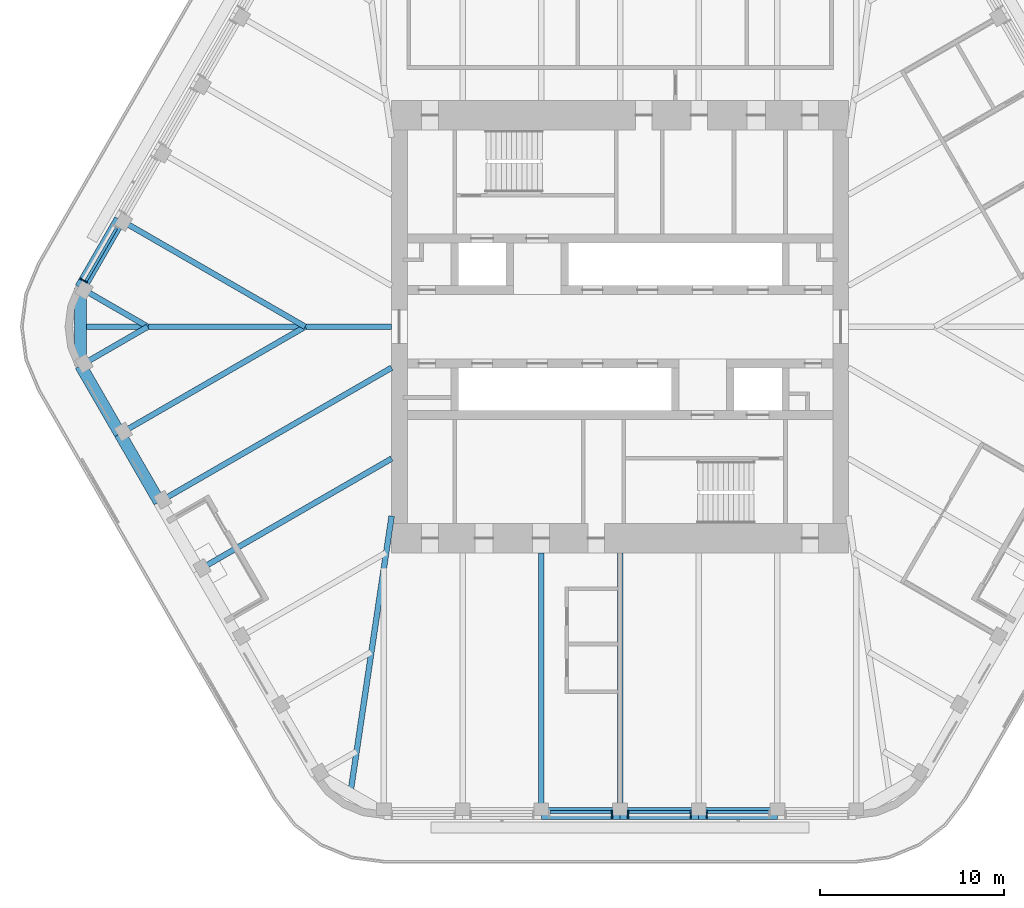
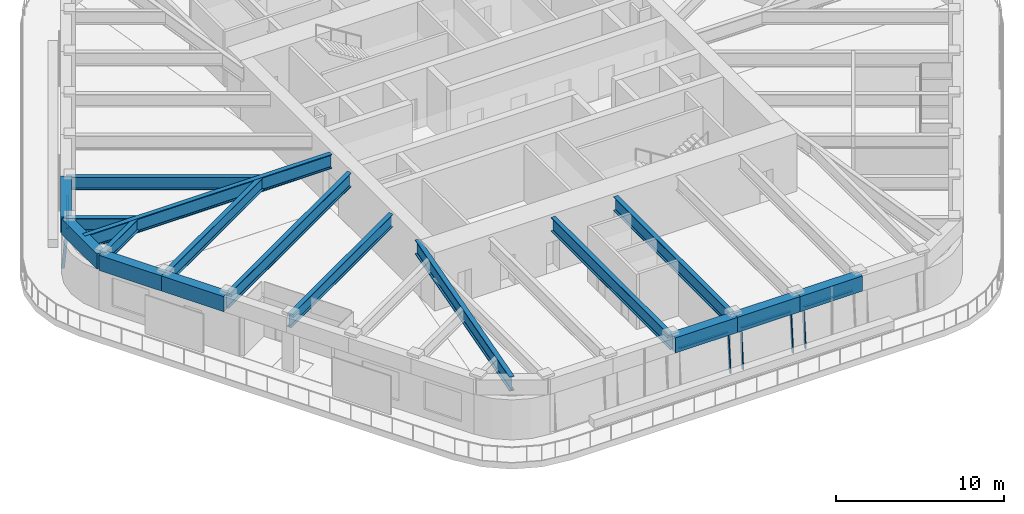
# One storey, part 3 of 19: 17 beams, 9 members, 4 elements without a shape of their own.
"""IFC4 building model written with IfcOpenShell, lengths in metres."""

from ifc_helpers import new_model, si_unit, direction, frame, origin, origin_2d, place, context, subcontext, project, spatial, rectangle, i_section, extrude, material, material_profile, profile_set, type_object, element, aggregate, save


model = new_model("IFC4")

# Units and contexts
model_context = context("Model", 3, precision=1e-05, world=origin(), true_north=direction((0.0, 1.0)))
body_context = subcontext(model_context, "Body", "Model", "MODEL_VIEW")
ifc_project = project(units=[si_unit("LENGTHUNIT", "METRE"), si_unit("AREAUNIT", "SQUARE_METRE"), si_unit("VOLUMEUNIT", "CUBIC_METRE"), si_unit("PLANEANGLEUNIT", "RADIAN"), si_unit("MASSUNIT", "GRAM", prefix="KILO")], contexts=[model_context])

# Site, building, storey
site_placement = place(None, origin())
site = spatial("IfcSite", under=ifc_project, at=site_placement, CompositionType="ELEMENT")
building_placement = place(site_placement, origin())
building = spatial("IfcBuilding", under=site, at=building_placement, Name="Tarfa Lantern Tower", CompositionType="ELEMENT")
storey_placement = place(building_placement, frame((0.0, 0.0, 374.5)))
storey = spatial("IfcBuildingStorey", under=building, at=storey_placement, Name="L85", CompositionType="ELEMENT", Elevation=374.5)

# Curtain wall, member
ifc_material_1 = material(Name="Aluminium framed curtain wall", Category="aluminium")
curtain_wall_type = type_object("IfcCurtainWallType", Name="CW4 CANTED GLAZING EXECUTIVE ZONE 2900", PredefinedType="USERDEFINED", material=ifc_material_1)
curtain_wall_1_placement = place(storey_placement, origin())
curtain_wall_1 = element("IfcCurtainWall", 1, at=curtain_wall_1_placement, inside=storey, type_object=curtain_wall_type, Name="CW4 NW L85", ObjectType="CURTAIN WALL", PredefinedType="USERDEFINED")
ifc_material_2 = material(Name="Aluminium mullion", Category="aluminium")
ifc_material_profile_1 = material_profile(ifc_material_2, rectangle(XDim=0.06494140625, YDim=0.199951171875, at=origin_2d()), Name="AL MULLION 65x200")
ifc_profile_set_1 = profile_set([ifc_material_profile_1], Name="Aluminium mullion")
member_type_1 = type_object("IfcMemberType", Name="CWM1 MULLION 65x200", PredefinedType="MULLION", material=ifc_profile_set_1)
member_1_placement = place(storey_placement, frame((-29.286376953125, 2.574462890625, 0.0), z_axis=(0.074399820079, -0.042945555672, 0.996303340364), x_axis=(0.499919672301, 0.866071776036, 0.0)))
member_1 = element("IfcMember", 2, at=member_1_placement, type_object=member_type_1, Name="CW4 mullion 2", PredefinedType="MULLION", context=body_context, shape_type="SweptSolid", body=[
    extrude(rectangle(XDim=0.06494140625, YDim=0.199951171875, at=origin_2d()), origin(), (0.0, 0.0, 1.0), 2.91064453125),
])

curtain_wall_2_placement = place(storey_placement, origin())
curtain_wall_2 = element("IfcCurtainWall", 3, at=curtain_wall_2_placement, inside=storey, type_object=curtain_wall_type, Name="CW4 S L85", ObjectType="CURTAIN WALL", PredefinedType="USERDEFINED")
member_2_placement = place(storey_placement, frame((-0.4326171875, -26.64990234375, 0.0), z_axis=(0.0, 0.085891213166, 0.99630452147), x_axis=(-1.0, 0.0, 0.0)))
member_2 = element("IfcMember", 4, at=member_2_placement, type_object=member_type_1, Name="CW4 mullion 2", PredefinedType="MULLION", context=body_context, shape_type="SweptSolid", body=[
    extrude(rectangle(XDim=0.06494140625, YDim=0.199951171875, at=origin_2d()), origin(), (0.0, 0.0, 1.0), 2.91064453125),
])

# Curtain wall, members
curtain_wall_3_placement = place(storey_placement, origin())
curtain_wall_3 = element("IfcCurtainWall", 5, at=curtain_wall_3_placement, inside=storey, type_object=curtain_wall_type, Name="CW4 S L85", ObjectType="CURTAIN WALL", PredefinedType="USERDEFINED")
member_3_placement = place(storey_placement, frame((0.4326171875, -26.64990234375, 0.0), z_axis=(0.0, 0.085891213166, 0.99630452147), x_axis=(-1.0, 0.0, 0.0)))
member_3 = element("IfcMember", 6, at=member_3_placement, type_object=member_type_1, Name="CW4 mullion 1", PredefinedType="MULLION", context=body_context, shape_type="SweptSolid", body=[
    extrude(rectangle(XDim=0.06494140625, YDim=0.199951171875, at=origin_2d()), origin(), (0.0, 0.0, 1.0), 2.91064453125),
])
member_4_placement = place(storey_placement, frame((3.849609375, -26.64990234375, 0.0), z_axis=(0.0, 0.085891213166, 0.99630452147), x_axis=(-1.0, 0.0, 0.0)))
member_4 = element("IfcMember", 7, at=member_4_placement, type_object=member_type_1, Name="CW4 mullion 2", PredefinedType="MULLION", context=body_context, shape_type="SweptSolid", body=[
    extrude(rectangle(XDim=0.06494140625, YDim=0.199951171875, at=origin_2d()), origin(), (0.0, 0.0, 1.0), 2.91064453125),
])

# Curtain wall, member
curtain_wall_4_placement = place(storey_placement, origin())
curtain_wall_4 = element("IfcCurtainWall", 8, at=curtain_wall_4_placement, inside=storey, type_object=curtain_wall_type, Name="CW4 S L85", ObjectType="CURTAIN WALL", PredefinedType="USERDEFINED")
member_5_placement = place(storey_placement, frame((4.714599609375, -26.64990234375, 0.0), z_axis=(0.0, 0.085891213166, 0.99630452147), x_axis=(-1.0, 0.0, 0.0)))
member_5 = element("IfcMember", 9, at=member_5_placement, type_object=member_type_1, Name="CW4 mullion 1", PredefinedType="MULLION", context=body_context, shape_type="SweptSolid", body=[
    extrude(rectangle(XDim=0.06494140625, YDim=0.199951171875, at=origin_2d()), origin(), (0.0, 0.0, 1.0), 2.91064453125),
])

# Member
ifc_material_3 = material(Name="Aluminium transom", Category="aluminium")
ifc_material_profile_2 = material_profile(ifc_material_3, rectangle(XDim=0.14990234375, YDim=0.06494140625, at=origin_2d()), Name="AL TRANSOM 150x65")
ifc_profile_set_2 = profile_set([ifc_material_profile_2], Name="Aluminium transom")
member_type_2 = type_object("IfcMemberType", Name="CWT1 TRANSOM 150x65", PredefinedType="USERDEFINED", material=ifc_profile_set_2)
member_6_placement = place(storey_placement, frame((-27.380126953125, 5.382080078125, 2.867431640625), z_axis=(-0.499930512259, -0.866065518833, 0.0), x_axis=(0.866065518833, -0.499930512259, 0.0)))
member_6 = element("IfcMember", 10, at=member_6_placement, type_object=member_type_2, Name="CW4 transom 1.2", ObjectType="TRANSOM", PredefinedType="USERDEFINED", context=body_context, shape_type="SweptSolid", body=[
    extrude(rectangle(XDim=0.14990234375, YDim=0.06494140625, at=origin_2d()), origin(), (0.0, 0.0, 1.0), 3.35205078125),
])

aggregate(curtain_wall_1, [member_1, member_6])

member_7_placement = place(storey_placement, frame((-3.81689453125, -26.40283203125, 2.867431640625), z_axis=(1.0, 0.0, 0.0), x_axis=(0.0, 1.0, 0.0)))
member_7 = element("IfcMember", 11, at=member_7_placement, type_object=member_type_2, Name="CW4 transom 1.2", ObjectType="TRANSOM", PredefinedType="USERDEFINED", context=body_context, shape_type="SweptSolid", body=[
    extrude(rectangle(XDim=0.14990234375, YDim=0.06494140625, at=origin_2d()), origin(), (0.0, 0.0, 1.0), 3.351806640625),
])

aggregate(curtain_wall_2, [member_2, member_7])

member_8_placement = place(storey_placement, frame((0.465087890625, -26.40283203125, 2.867431640625), z_axis=(1.0, 0.0, 0.0), x_axis=(0.0, 1.0, 0.0)))
member_8 = element("IfcMember", 12, at=member_8_placement, type_object=member_type_2, Name="CW4 transom 1.2", ObjectType="TRANSOM", PredefinedType="USERDEFINED", context=body_context, shape_type="SweptSolid", body=[
    extrude(rectangle(XDim=0.14990234375, YDim=0.06494140625, at=origin_2d()), origin(), (0.0, 0.0, 1.0), 3.351806640625),
])

aggregate(curtain_wall_3, [member_3, member_4, member_8])

member_9_placement = place(storey_placement, frame((4.7470703125, -26.40283203125, 2.867431640625), z_axis=(1.0, 0.0, 0.0), x_axis=(0.0, 1.0, 0.0)))
member_9 = element("IfcMember", 13, at=member_9_placement, type_object=member_type_2, Name="CW4 transom 1.2", ObjectType="TRANSOM", PredefinedType="USERDEFINED", context=body_context, shape_type="SweptSolid", body=[
    extrude(rectangle(XDim=0.14990234375, YDim=0.06494140625, at=origin_2d()), origin(), (0.0, 0.0, 1.0), 3.35205078125),
])

aggregate(curtain_wall_4, [member_5, member_9])

# Beams
ifc_material_4 = material(Name="Concrete C80/95", Category="concrete")
ifc_material_profile_3 = material_profile(ifc_material_4, rectangle(XDim=0.64990234375, YDim=1.10009765625, at=origin_2d()), Name="RC 650x1100")
ifc_profile_set_3 = profile_set([ifc_material_profile_3], Name="Concrete C80/95")
beam_type_1 = type_object("IfcBeamType", Name="EB4 RC 650x1100", PredefinedType="SPANDREL", material=ifc_profile_set_3)
beam_1_placement = place(storey_placement, frame((-27.205810546875, 5.818359375, 3.449951171875), z_axis=(-0.499984039138, -0.866034618596, 0.0), x_axis=(0.866034618596, -0.499984039138, 0.0)))
element("IfcBeam", 14, at=beam_1_placement, inside=storey, type_object=beam_type_1, Name="Edge beam NW5", PredefinedType="SPANDREL", context=body_context, shape_type="SweptSolid", body=[
    extrude(rectangle(XDim=0.64990234375, YDim=1.10009765625, at=origin_2d()), origin(), (0.0, 0.0, 1.0), 4.281982421875),
])
beam_2_placement = place(storey_placement, frame((-29.3466796875, 2.110107421875, 3.449951171875), z_axis=(0.0, -1.0, 0.0), x_axis=(1.0, 0.0, 0.0)))
element("IfcBeam", 15, at=beam_2_placement, inside=storey, type_object=beam_type_1, Name="Edge beam NW6", PredefinedType="SPANDREL", context=body_context, shape_type="SweptSolid", body=[
    extrude(rectangle(XDim=0.64990234375, YDim=1.10009765625, at=origin_2d()), origin(), (0.0, 0.0, 1.0), 4.22021484375),
])
for number, where, z_axis, x_axis, name in (
    (16, (-29.3466796875, -2.110107421875, 3.449951171875), (0.499984039138, -0.866034618596, 0.0), (0.866034618596, 0.499984039138, 0.0), "Edge beam SW0"),
    (17, (-27.205810546875, -5.818359375, 3.449951171875), (0.500026801138, -0.866009929587, 0.0), (0.866009929587, 0.500026801138, 0.0), "Edge beam SW1"),
    (18, (-4.281982421875, -26.469970703125, 3.449951171875), (1.0, 0.0, 0.0), (0.0, 1.0, 0.0), "Edge beam S2"),
    (19, (0.0, -26.469970703125, 3.449951171875), (1.0, 0.0, 0.0), (0.0, 1.0, 0.0), "Edge beam S3"),
    (20, (4.281982421875, -26.469970703125, 3.449951171875), (1.0, 0.0, 0.0), (0.0, 1.0, 0.0), "Edge beam S4"),
):
    element("IfcBeam", number, at=place(storey_placement, frame(where, z_axis=z_axis, x_axis=x_axis)), inside=storey, type_object=beam_type_1, Name=name, PredefinedType="SPANDREL", context=body_context, shape_type="SweptSolid", body=[
        extrude(rectangle(XDim=0.64990234375, YDim=1.10009765625, at=origin_2d()), origin(), (0.0, 0.0, 1.0), 4.281982421875),
    ])
ifc_material_5 = material(Name="Steel S460M", Category="steel")
ifc_material_profile_4 = material_profile(ifc_material_5, i_section(OverallWidth=0.302001953125, OverallDepth=1.008056640625, WebThickness=0.02099609375, FlangeThickness=0.0400390625, FilletRadius=0.030029296875, at=origin_2d()), Name="UB1016x305x349")
ifc_profile_set_4 = profile_set([ifc_material_profile_4], Name="Steel S460M")
beam_type_2 = type_object("IfcBeamType", Name="UB1016x305x349", PredefinedType="BEAM", material=ifc_profile_set_4)
beam_3_placement = place(storey_placement, frame((-25.064697265625, -9.526611328125, 3.495849609375), z_axis=(0.866029591389, 0.499992746786, 0.0), x_axis=(-0.499992746786, 0.866029591389, 0.0)))
element("IfcBeam", 21, at=beam_3_placement, inside=storey, type_object=beam_type_2, Name="Floor beam SW2", PredefinedType="BEAM", context=body_context, shape_type="SweptSolid", body=[
    extrude(i_section(OverallWidth=0.302001953125, OverallDepth=1.008056640625, WebThickness=0.02099609375, FlangeThickness=0.0400390625, FilletRadius=0.030029296875, at=origin_2d()), origin(), (0.0, 0.0, 1.0), 14.594970703125),
])
for number, where, z_axis, x_axis, name in (
    (22, (-4.281982421875, -26.469970703125, 3.495849609375), (0.0, 1.0, 0.0), (-1.0, 0.0, 0.0), "Floor beam S2"),
    (23, (0.0, -26.469970703125, 3.495849609375), (0.0, 1.0, 0.0), (-1.0, 0.0, 0.0), "Floor beam S3"),
):
    element("IfcBeam", number, at=place(storey_placement, frame(where, z_axis=z_axis, x_axis=x_axis)), inside=storey, type_object=beam_type_2, Name=name, PredefinedType="BEAM", context=body_context, shape_type="SweptSolid", body=[
        extrude(i_section(OverallWidth=0.302001953125, OverallDepth=1.008056640625, WebThickness=0.02099609375, FlangeThickness=0.0400390625, FilletRadius=0.030029296875, at=origin_2d()), origin(), (0.0, 0.0, 1.0), 14.169921875),
    ])
ifc_material_profile_5 = material_profile(ifc_material_5, i_section(OverallWidth=0.30859375, OverallDepth=1.036376953125, WebThickness=0.030029296875, FlangeThickness=0.05419921875, FilletRadius=0.030029296875, at=origin_2d()), Name="UB1016x305x487")
ifc_profile_set_5 = profile_set([ifc_material_profile_5], Name="Steel S460M")
beam_type_3 = type_object("IfcBeamType", Name="UB1016x305x487", PredefinedType="BEAM", material=ifc_profile_set_5)
beam_4_placement = place(storey_placement, frame((-12.425048828125, 0.0, 3.48193359375), z_axis=(-1.0, 0.0, 0.0), x_axis=(0.0, -1.0, 0.0)))
element("IfcBeam", 24, at=beam_4_placement, inside=storey, type_object=beam_type_3, Name="Hip girder W", PredefinedType="BEAM", context=body_context, shape_type="SweptSolid", body=[
    extrude(i_section(OverallWidth=0.30859375, OverallDepth=1.036376953125, WebThickness=0.030029296875, FlangeThickness=0.05419921875, FilletRadius=0.030029296875, at=origin_2d()), origin(), (0.0, 0.0, 1.0), 16.921630859375),
])
beam_5_placement = place(storey_placement, frame((-12.425048828125, -10.300048828125, 3.48193359375), z_axis=(-0.147127069073, -0.989117599452, 0.0), x_axis=(0.989117599452, -0.147127069073, 0.0)))
element("IfcBeam", 25, at=beam_5_placement, inside=storey, type_object=beam_type_3, Name="Hip girder SW", PredefinedType="BEAM", context=body_context, shape_type="SweptSolid", body=[
    extrude(i_section(OverallWidth=0.30859375, OverallDepth=1.036376953125, WebThickness=0.030029296875, FlangeThickness=0.05419921875, FilletRadius=0.030029296875, at=origin_2d()), origin(), (0.0, 0.0, 1.0), 15.28125),
])
ifc_material_profile_6 = material_profile(ifc_material_5, i_section(OverallWidth=0.305419921875, OverallDepth=0.91845703125, WebThickness=0.017333984375, FlangeThickness=0.02783203125, FilletRadius=0.01904296875, at=origin_2d()), Name="UB914x305x253")
ifc_profile_set_6 = profile_set([ifc_material_profile_6], Name="Steel S460M")
beam_type_4 = type_object("IfcBeamType", Name="UB914x305x253", PredefinedType="BEAM", material=ifc_profile_set_6)
beam_6_placement = place(storey_placement, frame((-27.205810546875, 5.818359375, 3.540771484375), z_axis=(0.866024171998, -0.500002133511, 0.0), x_axis=(0.500002133511, 0.866024171998, 0.0)))
element("IfcBeam", 26, at=beam_6_placement, inside=storey, type_object=beam_type_4, Name="Floor beam NW5", PredefinedType="BEAM", context=body_context, shape_type="SweptSolid", body=[
    extrude(i_section(OverallWidth=0.305419921875, OverallDepth=0.91845703125, WebThickness=0.017333984375, FlangeThickness=0.02783203125, FilletRadius=0.01904296875, at=origin_2d()), origin(), (0.0, 0.0, 1.0), 11.63671875),
])
for number, where, z_axis, x_axis, name in (
    (27, (-29.3466796875, 2.110107421875, 3.540771484375), (0.866009274789, -0.500027935199, 0.0), (0.500027935199, 0.866009274789, 0.0), "Floor beam NW6"),
    (28, (-29.3466796875, -2.110107421875, 3.540771484375), (0.866009274789, 0.500027935199, 0.0), (-0.500027935199, 0.866009274789, 0.0), "Floor beam SW0"),
):
    element("IfcBeam", number, at=place(storey_placement, frame(where, z_axis=z_axis, x_axis=x_axis)), inside=storey, type_object=beam_type_4, Name=name, PredefinedType="BEAM", context=body_context, shape_type="SweptSolid", body=[
        extrude(i_section(OverallWidth=0.305419921875, OverallDepth=0.91845703125, WebThickness=0.017333984375, FlangeThickness=0.02783203125, FilletRadius=0.01904296875, at=origin_2d()), origin(), (0.0, 0.0, 1.0), 4.219970703125),
    ])
beam_7_placement = place(storey_placement, frame((-27.205810546875, -5.818359375, 3.540771484375), z_axis=(0.866024171998, 0.500002133511, 0.0), x_axis=(-0.500002133511, 0.866024171998, 0.0)))
element("IfcBeam", 29, at=beam_7_placement, inside=storey, type_object=beam_type_4, Name="Floor beam SW1", PredefinedType="BEAM", context=body_context, shape_type="SweptSolid", body=[
    extrude(i_section(OverallWidth=0.305419921875, OverallDepth=0.91845703125, WebThickness=0.017333984375, FlangeThickness=0.02783203125, FilletRadius=0.01904296875, at=origin_2d()), origin(), (0.0, 0.0, 1.0), 11.63671875),
])
beam_8_placement = place(storey_placement, frame((-22.923583984375, -13.235107421875, 3.540771484375), z_axis=(0.86601856927, 0.500011837539, 0.0), x_axis=(-0.500011837539, 0.86601856927, 0.0)))
element("IfcBeam", 30, at=beam_8_placement, inside=storey, type_object=beam_type_4, Name="Floor beam SW3", PredefinedType="BEAM", context=body_context, shape_type="SweptSolid", body=[
    extrude(i_section(OverallWidth=0.305419921875, OverallDepth=0.91845703125, WebThickness=0.017333984375, FlangeThickness=0.02783203125, FilletRadius=0.01904296875, at=origin_2d()), origin(), (0.0, 0.0, 1.0), 12.122802734375),
])

save(model, "model.ifc")
